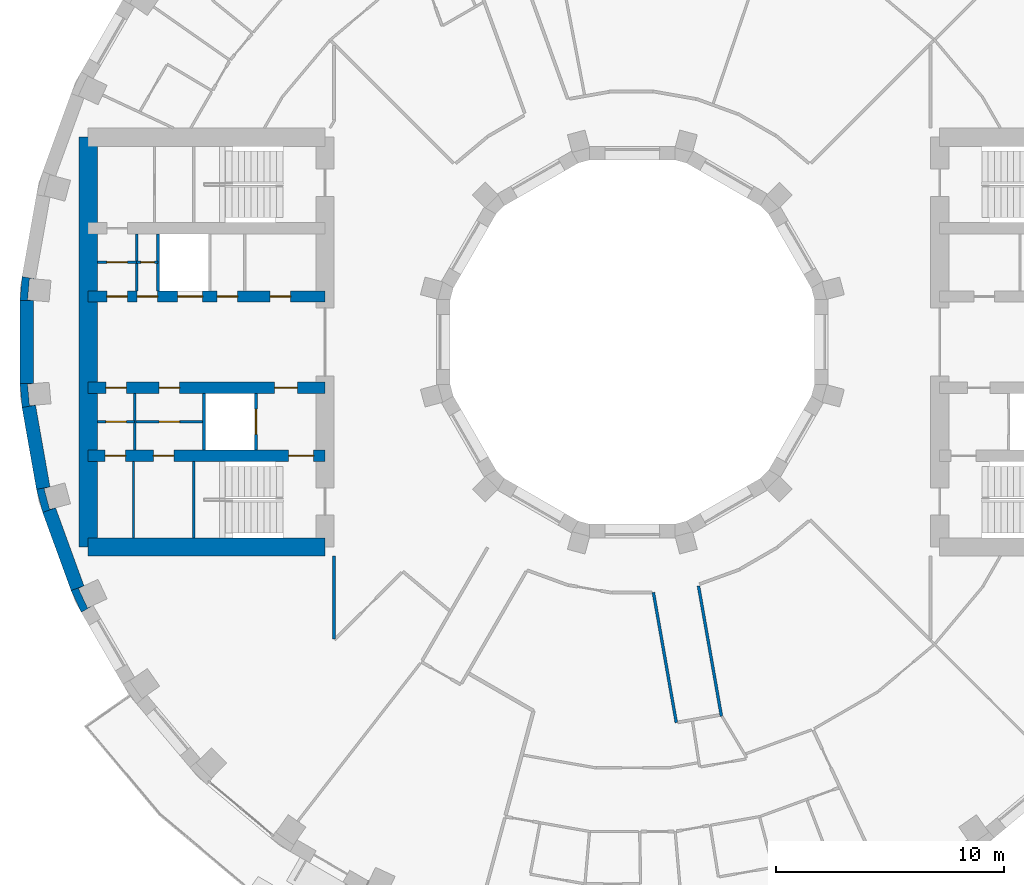
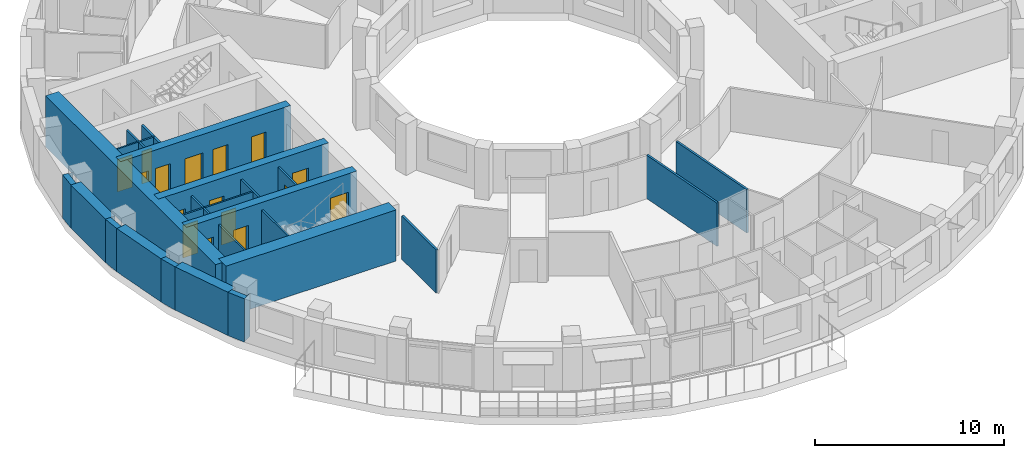
# One storey, part 5 of 14: 26 walls, 16 doors, 16 openings.
"""IFC4 building model written with IfcOpenShell, lengths in metres."""

from ifc_helpers import new_model, si_unit, direction, frame, frame_2d, origin, place, context, subcontext, project, spatial, polyline, rectangle, outline, extrude, material, layer, layer_set, type_object, element, fill, save


model = new_model("IFC4")

# Units and contexts
model_context = context("Model", 3, precision=1e-05, world=origin(), true_north=direction((0.0, 1.0)))
body_context = subcontext(model_context, "Body", "Model", "MODEL_VIEW")
ifc_project = project(units=[si_unit("LENGTHUNIT", "METRE"), si_unit("AREAUNIT", "SQUARE_METRE"), si_unit("VOLUMEUNIT", "CUBIC_METRE"), si_unit("PLANEANGLEUNIT", "RADIAN"), si_unit("MASSUNIT", "GRAM", prefix="KILO")], contexts=[model_context])

# Site, building, storey
site_placement = place(None, origin())
site = spatial("IfcSite", under=ifc_project, at=site_placement, CompositionType="ELEMENT")
building_placement = place(site_placement, origin())
building = spatial("IfcBuilding", under=site, at=building_placement, Name="Saqina Gate Tower", CompositionType="ELEMENT")
storey_placement = place(building_placement, frame((0.0, 0.0, 138.10009765625)))
storey = spatial("IfcBuildingStorey", under=building, at=storey_placement, Name="L39", CompositionType="ELEMENT", Elevation=138.10009765625)

# Walls
ifc_material_1 = material(Name="Brick masonry (buff)", Category="masonry")
wall_type_1 = type_object("IfcWallType", Name="BRICK PIER COPING BUFF", PredefinedType="SOLIDWALL", material=ifc_material_1)
wall_1_placement = place(storey_placement, origin())
element("IfcWall", 1, at=wall_1_placement, inside=storey, type_object=wall_type_1, Name="Pier cap L39 column 18", PredefinedType="SOLIDWALL", context=body_context, shape_type="SweptSolid", body=[
    extrude(outline(polyline([(-26.805419921875, 2.87451171875), (-26.897216796875, 1.823974609375), (-26.29736328125, 1.823974609375), (-26.565185546875, 1.847412109375), (-26.482421875, 2.793701171875), (-26.214599609375, 2.770263671875), (-26.805419921875, 2.87451171875)])), origin(), (0.0, 0.0, 1.0), 2.7998046875),
])
wall_2_placement = place(storey_placement, origin())
element("IfcWall", 2, at=wall_2_placement, inside=storey, type_object=wall_type_1, Name="Pier cap L39 column 19", PredefinedType="SOLIDWALL", context=body_context, shape_type="SweptSolid", body=[
    extrude(outline(polyline([(-26.805419921875, -2.87451171875), (-26.214599609375, -2.770263671875), (-26.482421875, -2.793701171875), (-26.565185546875, -1.847412109375), (-26.29736328125, -1.823974609375), (-26.897216796875, -1.823974609375), (-26.805419921875, -2.87451171875)])), origin(), (0.0, 0.0, 1.0), 2.7998046875),
])
wall_3_placement = place(storey_placement, origin())
element("IfcWall", 3, at=wall_3_placement, inside=storey, type_object=wall_type_1, Name="Pier cap L39 column 20", PredefinedType="SOLIDWALL", context=body_context, shape_type="SweptSolid", body=[
    extrude(outline(polyline([(-26.171875, -6.466796875), (-25.89892578125, -7.485595703125), (-25.335205078125, -7.2802734375), (-25.5947265625, -7.349853515625), (-25.8408203125, -6.43212890625), (-25.5810546875, -6.36279296875), (-26.171875, -6.466796875)])), origin(), (0.0, 0.0, 1.0), 2.7998046875),
])
wall_4_placement = place(storey_placement, origin())
element("IfcWall", 4, at=wall_4_placement, inside=storey, type_object=wall_type_1, Name="Pier cap L39 column 21", PredefinedType="SOLIDWALL", context=body_context, shape_type="SweptSolid", body=[
    extrude(outline(polyline([(-24.6513671875, -10.913330078125), (-24.205810546875, -11.869140625), (-23.68603515625, -11.569091796875), (-23.9296875, -11.6826171875), (-24.331298828125, -10.82177734375), (-24.08740234375, -10.7080078125), (-24.6513671875, -10.913330078125)])), origin(), (0.0, 0.0, 1.0), 2.7998046875),
])
ifc_material_2 = material(Name="Gypsum board on steel studs", Category="steel")
ifc_layer_1 = layer(ifc_material_2, 0.10009765625)
ifc_layer_set_1 = layer_set([ifc_layer_1], Name="CORE PARTITION")
wall_type_2 = type_object("IfcWallType", Name="CORE PARTITION", PredefinedType="PARTITIONING", material=ifc_layer_set_1)
for number, where, z_axis, x_axis, name in (
    (5, (-21.77099609375, 2.25, 0.0), (0.0, 0.0, 1.0), (0.0, 1.0, 0.0), "L39-CP-W04"),
    (6, (-21.8583984375, -4.75, 0.0), (0.0, 0.0, 1.0), (0.0, 1.0, 0.0), "L39-CP-W07"),
):
    element("IfcWall", number, at=place(storey_placement, frame(where, z_axis=z_axis, x_axis=x_axis)), inside=storey, type_object=wall_type_2, Name=name, PredefinedType="PARTITIONING", context=body_context, shape_type="SweptSolid", body=[
        extrude(rectangle(XDim=2.5, YDim=0.10009765625, at=frame_2d((1.25, 0.0))), origin(), (0.0, 0.0, 1.0), 2.7998046875),
    ])

# Wall, opening, door
wall_5_placement = place(storey_placement, frame((-20.840087890625, 3.5, 0.0), z_axis=(0.0, 0.0, 1.0), x_axis=(-1.0, 0.0, 0.0)))
wall_5 = element("IfcWall", 7, at=wall_5_placement, inside=storey, type_object=wall_type_2, Name="L39-CP-W08", PredefinedType="PARTITIONING", context=body_context, shape_type="SweptSolid", body=[
    extrude(rectangle(XDim=0.930908203125, YDim=0.10009765625, at=frame_2d((0.46533203125, 0.0))), origin(), (0.0, 0.0, 1.0), 2.7998046875),
])
opening_1_placement = place(wall_5_placement, frame((0.14990234375, 0.0, 0.0)))
opening_1 = element("IfcOpeningElement", 8, at=opening_1_placement, cuts=wall_5, Name="Opening G11-D116", PredefinedType="OPENING", context=body_context, shape_type="SweptSolid", body=[
    extrude(rectangle(XDim=0.60009765625, YDim=2.10009765625, at=frame_2d((0.300048828125, 1.050048828125))), frame((0.0, 0.06201171875, 0.0), z_axis=(0.0, -1.0, 0.0), x_axis=(1.0, 0.0, 0.0)), (0.0, 0.0, 1.0), 0.1240234375),
])
ifc_material_3 = material(Name="Steel-framed fire door leaf, EI 60", Category="steel")
door_type_1 = type_object("IfcDoorType", Name="SERVICE ROOM DOOR 600", OperationType="SINGLE_SWING_LEFT", PredefinedType="DOOR", material=ifc_material_3)
door_1_placement = place(opening_1_placement, origin())
door_1 = element("IfcDoor", 9, at=door_1_placement, inside=storey, type_object=door_type_1, Name="L39-CD-W27", OperationType="SINGLE_SWING_LEFT", OverallHeight=2.10009765625, OverallWidth=0.60009765625, PredefinedType="DOOR", context=body_context, shape_type="SweptSolid", body=[
    extrude(rectangle(XDim=0.60009765625, YDim=2.10009765625, at=frame_2d((0.300048828125, 1.050048828125))), frame((0.0, 0.02490234375, 0.0), z_axis=(0.0, -1.0, 0.0), x_axis=(1.0, 0.0, 0.0)), (0.0, 0.0, 1.0), 0.050048828125),
])
fill(opening_1, door_1)

wall_6_placement = place(storey_placement, frame((-21.77099609375, 3.5, 0.0), z_axis=(0.0, 0.0, 1.0), x_axis=(-1.0, 0.0, 0.0)))
wall_6 = element("IfcWall", 10, at=wall_6_placement, inside=storey, type_object=wall_type_2, Name="L39-CP-W09", PredefinedType="PARTITIONING", context=body_context, shape_type="SweptSolid", body=[
    extrude(rectangle(XDim=1.72900390625, YDim=0.10009765625, at=frame_2d((0.864501953125, 0.0))), origin(), (0.0, 0.0, 1.0), 2.7998046875),
])
opening_2_placement = place(wall_6_placement, frame((0.41455078125, 0.0, 0.0)))
opening_2 = element("IfcOpeningElement", 11, at=opening_2_placement, cuts=wall_6, Name="Opening G11-D117", PredefinedType="OPENING", context=body_context, shape_type="SweptSolid", body=[
    extrude(rectangle(XDim=0.89990234375, YDim=2.10009765625, at=frame_2d((0.449951171875, 1.050048828125))), frame((0.0, 0.06201171875, 0.0), z_axis=(0.0, -1.0, 0.0), x_axis=(1.0, 0.0, 0.0)), (0.0, 0.0, 1.0), 0.1240234375),
])
ifc_material_4 = material(Name="Steel-framed fire door leaf, EI 60", Category="steel")
door_type_2 = type_object("IfcDoorType", Name="SERVICE ROOM DOOR 900", OperationType="SINGLE_SWING_LEFT", PredefinedType="DOOR", material=ifc_material_4)
door_2_placement = place(opening_2_placement, frame((0.89990234375, 0.0, 0.0), z_axis=(0.0, 0.0, 1.0), x_axis=(-1.0, 0.0, 0.0)))
door_2 = element("IfcDoor", 12, at=door_2_placement, inside=storey, type_object=door_type_2, Name="L39-CD-W28", OperationType="SINGLE_SWING_LEFT", OverallHeight=2.10009765625, OverallWidth=0.89990234375, PredefinedType="DOOR", context=body_context, shape_type="SweptSolid", body=[
    extrude(rectangle(XDim=0.89990234375, YDim=2.10009765625, at=frame_2d((0.449951171875, 1.050048828125))), frame((0.0, 0.02490234375, 0.0), z_axis=(0.0, -1.0, 0.0), x_axis=(1.0, 0.0, 0.0)), (0.0, 0.0, 1.0), 0.050048828125),
])
fill(opening_2, door_2)

wall_7_placement = place(storey_placement, frame((-18.81005859375, -3.5, 0.0), z_axis=(0.0, 0.0, 1.0), x_axis=(-1.0, 0.0, 0.0)))
wall_7 = element("IfcWall", 13, at=wall_7_placement, inside=storey, type_object=wall_type_2, Name="L39-CP-W10", PredefinedType="PARTITIONING", context=body_context, shape_type="SweptSolid", body=[
    extrude(rectangle(XDim=3.04833984375, YDim=0.10009765625, at=frame_2d((1.524169921875, 0.0))), origin(), (0.0, 0.0, 1.0), 2.7998046875),
])
opening_3_placement = place(wall_7_placement, frame((1.07421875, 0.0, 0.0)))
opening_3 = element("IfcOpeningElement", 14, at=opening_3_placement, cuts=wall_7, Name="Opening G11-D121", PredefinedType="OPENING", context=body_context, shape_type="SweptSolid", body=[
    extrude(rectangle(XDim=0.89990234375, YDim=2.10009765625, at=frame_2d((0.449951171875, 1.050048828125))), frame((0.0, 0.06201171875, 0.0), z_axis=(0.0, -1.0, 0.0), x_axis=(1.0, 0.0, 0.0)), (0.0, 0.0, 1.0), 0.1240234375),
])
door_3_placement = place(opening_3_placement, origin())
door_3 = element("IfcDoor", 15, at=door_3_placement, inside=storey, type_object=door_type_2, Name="L39-CD-W32", OperationType="SINGLE_SWING_LEFT", OverallHeight=2.10009765625, OverallWidth=0.89990234375, PredefinedType="DOOR", context=body_context, shape_type="SweptSolid", body=[
    extrude(rectangle(XDim=0.89990234375, YDim=2.10009765625, at=frame_2d((0.449951171875, 1.050048828125))), frame((0.0, 0.02490234375, 0.0), z_axis=(0.0, -1.0, 0.0), x_axis=(1.0, 0.0, 0.0)), (0.0, 0.0, 1.0), 0.050048828125),
])
fill(opening_3, door_3)

wall_8_placement = place(storey_placement, frame((-21.8583984375, -3.5, 0.0), z_axis=(0.0, 0.0, 1.0), x_axis=(-1.0, 0.0, 0.0)))
wall_8 = element("IfcWall", 16, at=wall_8_placement, inside=storey, type_object=wall_type_2, Name="L39-CP-W11", PredefinedType="PARTITIONING", context=body_context, shape_type="SweptSolid", body=[
    extrude(rectangle(XDim=1.6416015625, YDim=0.10009765625, at=frame_2d((0.82080078125, 0.0))), origin(), (0.0, 0.0, 1.0), 2.7998046875),
])
opening_4_placement = place(wall_8_placement, frame((0.370849609375, 0.0, 0.0)))
opening_4 = element("IfcOpeningElement", 17, at=opening_4_placement, cuts=wall_8, Name="Opening G11-D120", PredefinedType="OPENING", context=body_context, shape_type="SweptSolid", body=[
    extrude(rectangle(XDim=0.89990234375, YDim=2.10009765625, at=frame_2d((0.449951171875, 1.050048828125))), frame((0.0, 0.06201171875, 0.0), z_axis=(0.0, -1.0, 0.0), x_axis=(1.0, 0.0, 0.0)), (0.0, 0.0, 1.0), 0.1240234375),
])
door_4_placement = place(opening_4_placement, origin())
door_4 = element("IfcDoor", 18, at=door_4_placement, inside=storey, type_object=door_type_2, Name="L39-CD-W31", OperationType="SINGLE_SWING_RIGHT", OverallHeight=2.10009765625, OverallWidth=0.89990234375, PredefinedType="DOOR", context=body_context, shape_type="SweptSolid", body=[
    extrude(rectangle(XDim=0.89990234375, YDim=2.10009765625, at=frame_2d((0.449951171875, 1.050048828125))), frame((0.0, 0.02490234375, 0.0), z_axis=(0.0, -1.0, 0.0), x_axis=(1.0, 0.0, 0.0)), (0.0, 0.0, 1.0), 0.050048828125),
])
fill(opening_4, door_4)

# Walls
wall_9_placement = place(storey_placement, frame((-21.91162109375, -8.60009765625, 0.0), z_axis=(0.0, 0.0, 1.0), x_axis=(0.0, 1.0, 0.0)))
element("IfcWall", 19, at=wall_9_placement, inside=storey, type_object=wall_type_2, Name="L39-CP-W15", PredefinedType="PARTITIONING", context=body_context, shape_type="SweptSolid", body=[
    extrude(rectangle(XDim=3.35009765625, YDim=0.10009765625, at=frame_2d((1.675048828125, 0.0))), origin(), (0.0, 0.0, 1.0), 2.7998046875),
])
ifc_material_5 = material(Name="Glazed ceramic tile", Category="ceramic")
ifc_layer_2 = layer(ifc_material_5, 0.60009765625)
ifc_layer_set_2 = layer_set([ifc_layer_2], Name="FW-TILE")
wall_type_3 = type_object("IfcWallType", Name="FW-TILE", PredefinedType="SOLIDWALL", material=ifc_layer_set_2)
for number, where, z_axis, x_axis, name in (
    (20, (-26.59716796875, 1.823974609375, 0.0), (0.0, 0.0, 1.0), (0.0, -1.0, 0.0), "Facade wall L39 facet 18"),
    (21, (-25.616943359375, -7.3828125, 0.0), (0.0, 0.0, 1.0), (0.341990236633, -0.939703505393, 0.0), "Facade wall L39 facet 20"),
):
    element("IfcWall", number, at=place(storey_placement, frame(where, z_axis=z_axis, x_axis=x_axis)), inside=storey, type_object=wall_type_3, Name=name, PredefinedType="SOLIDWALL", context=body_context, shape_type="SweptSolid", body=[
        extrude(rectangle(XDim=3.64794921875, YDim=0.60009765625, at=frame_2d((1.823974609375, 0.0))), origin(), (0.0, 0.0, 1.0), 2.7998046875),
    ])
ifc_material_6 = material(Name="Glazed ceramic tile (dark blue)", Category="ceramic")
ifc_layer_3 = layer(ifc_material_6, 0.60009765625)
ifc_layer_set_3 = layer_set([ifc_layer_3], Name="FW-TILE-CB")
wall_type_4 = type_object("IfcWallType", Name="FW-TILE-CB", PredefinedType="SOLIDWALL", material=ifc_layer_set_3)
wall_10_placement = place(storey_placement, frame((-26.510009765625, -2.822265625, 0.0), z_axis=(0.0, 0.0, 1.0), x_axis=(0.173670796382, -0.984803764455, 0.0)))
element("IfcWall", 22, at=wall_10_placement, inside=storey, type_object=wall_type_4, Name="Facade wall L39 facet 19", PredefinedType="SOLIDWALL", context=body_context, shape_type="SweptSolid", body=[
    extrude(rectangle(XDim=3.64794921875, YDim=0.60009765625, at=frame_2d((1.823974609375, 0.0))), origin(), (0.0, 0.0, 1.0), 2.7998046875),
])
ifc_material_7 = material(Name="Gypsum board on steel studs, 125 mm, fire rated", Category="steel")
ifc_layer_4 = layer(ifc_material_7, 0.125)
ifc_layer_set_4 = layer_set([ifc_layer_4], Name="PARTITION EI 30 125")
wall_type_5 = type_object("IfcWallType", Name="PARTITION EI 30 125", PredefinedType="PARTITIONING", material=ifc_layer_set_4)
wall_11_placement = place(storey_placement, frame((0.924072265625, -11.0, 0.0), z_axis=(0.0, 0.0, 1.0), x_axis=(0.173576639114, -0.98482036451, 0.0)))
element("IfcWall", 23, at=wall_11_placement, inside=storey, type_object=wall_type_5, Name="PARTITION PW1-01", PredefinedType="PARTITIONING", context=body_context, shape_type="SweptSolid", body=[
    extrude(rectangle(XDim=5.80615234375, YDim=0.125, at=frame_2d((2.903076171875, 0.0))), origin(), (0.0, 0.0, 1.0), 2.7998046875),
])
wall_12_placement = place(storey_placement, frame((2.90478515625, -10.714599609375, 0.0), z_axis=(0.0, 0.0, 1.0), x_axis=(0.173617542192, -0.984813154382, 0.0)))
element("IfcWall", 24, at=wall_12_placement, inside=storey, type_object=wall_type_5, Name="PARTITION PW1-02", PredefinedType="PARTITIONING", context=body_context, shape_type="SweptSolid", body=[
    extrude(rectangle(XDim=5.810302734375, YDim=0.125, at=frame_2d((2.9052734375, 0.0))), origin(), (0.0, 0.0, 1.0), 2.7998046875),
])
wall_13_placement = place(storey_placement, frame((-13.10009765625, -13.03662109375, 0.0), z_axis=(0.0, 0.0, 1.0), x_axis=(0.0, 1.0, 0.0)))
element("IfcWall", 25, at=wall_13_placement, inside=storey, type_object=wall_type_5, Name="PARTITION PW1-47", PredefinedType="PARTITIONING", context=body_context, shape_type="SweptSolid", body=[
    extrude(rectangle(XDim=3.63671875, YDim=0.125, at=frame_2d((1.818359375, 0.0))), origin(), (0.0, 0.0, 1.0), 2.7998046875),
])
ifc_material_8 = material(Name="Autoclaved aerated concrete block", Category="concrete")
ifc_layer_5 = layer(ifc_material_8, 0.1201171875)
ifc_layer_set_5 = layer_set([ifc_layer_5], Name="SHAFT PARTITION")
wall_type_6 = type_object("IfcWallType", Name="SHAFT PARTITION", PredefinedType="PARTITIONING", material=ifc_layer_set_5)
wall_14_placement = place(storey_placement, frame((-20.840087890625, 2.25, 0.0), z_axis=(0.0, 0.0, 1.0), x_axis=(0.0, 1.0, 0.0)))
element("IfcWall", 26, at=wall_14_placement, inside=storey, type_object=wall_type_6, Name="L39-CP-W03", PredefinedType="PARTITIONING", context=body_context, shape_type="SweptSolid", body=[
    extrude(rectangle(XDim=2.5, YDim=0.1201171875, at=frame_2d((1.25, 0.0))), origin(), (0.0, 0.0, 1.0), 2.7998046875),
])

# Wall, opening, door
wall_15_placement = place(storey_placement, frame((-16.530029296875, -4.75, 0.0), z_axis=(0.0, 0.0, 1.0), x_axis=(0.0, 1.0, 0.0)))
wall_15 = element("IfcWall", 27, at=wall_15_placement, inside=storey, type_object=wall_type_6, Name="L39-CP-W05", PredefinedType="PARTITIONING", context=body_context, shape_type="SweptSolid", body=[
    extrude(rectangle(XDim=2.5, YDim=0.1201171875, at=frame_2d((1.25, 0.0))), origin(), (0.0, 0.0, 1.0), 2.7998046875),
])
opening_5_placement = place(wall_15_placement, frame((0.699951171875, 0.0, 0.0)))
opening_5 = element("IfcOpeningElement", 28, at=opening_5_placement, cuts=wall_15, Name="Opening G11-LD4", PredefinedType="OPENING", context=body_context, shape_type="SweptSolid", body=[
    extrude(rectangle(XDim=1.10009765625, YDim=2.10009765625, at=frame_2d((0.550048828125, 1.050048828125))), frame((0.0, 0.072021484375, 0.0), z_axis=(0.0, -1.0, 0.0), x_axis=(1.0, 0.0, 0.0)), (0.0, 0.0, 1.0), 0.14404296875),
])
ifc_material_9 = material(Name="Stainless steel", Category="steel")
door_type_3 = type_object("IfcDoorType", Name="LANDING DOOR", OperationType="DOUBLE_DOOR_SLIDING", PredefinedType="DOOR", material=ifc_material_9)
door_5_placement = place(opening_5_placement, origin())
door_5 = element("IfcDoor", 29, at=door_5_placement, inside=storey, type_object=door_type_3, Name="LANDING DOOR FF2", OperationType="DOUBLE_DOOR_SLIDING", OverallHeight=2.10009765625, OverallWidth=1.10009765625, PredefinedType="DOOR", context=body_context, shape_type="SweptSolid", body=[
    extrude(rectangle(XDim=1.10009765625, YDim=2.10009765625, at=frame_2d((0.550048828125, 1.050048828125))), frame((0.0, 0.02490234375, 0.0), z_axis=(0.0, -1.0, 0.0), x_axis=(1.0, 0.0, 0.0)), (0.0, 0.0, 1.0), 0.050048828125),
])
fill(opening_5, door_5)

# Walls
wall_16_placement = place(storey_placement, frame((-18.81005859375, -4.75, 0.0), z_axis=(0.0, 0.0, 1.0), x_axis=(0.0, 1.0, 0.0)))
element("IfcWall", 30, at=wall_16_placement, inside=storey, type_object=wall_type_6, Name="L39-CP-W06", PredefinedType="PARTITIONING", context=body_context, shape_type="SweptSolid", body=[
    extrude(rectangle(XDim=2.5, YDim=0.1201171875, at=frame_2d((1.25, 0.0))), origin(), (0.0, 0.0, 1.0), 2.7998046875),
])
ifc_material_10 = material(Name="Autoclaved aerated concrete block", Category="concrete")
ifc_layer_6 = layer(ifc_material_10, 0.10009765625)
ifc_layer_set_6 = layer_set([ifc_layer_6], Name="STAIR ENCLOSURE WALL")
wall_type_7 = type_object("IfcWallType", Name="STAIR ENCLOSURE WALL", PredefinedType="PARTITIONING", material=ifc_layer_set_6)
wall_17_placement = place(storey_placement, frame((-19.27001953125, -8.60009765625, 0.0), z_axis=(0.0, 0.0, 1.0), x_axis=(0.0, 1.0, 0.0)))
element("IfcWall", 31, at=wall_17_placement, inside=storey, type_object=wall_type_7, Name="L39-CP-W14", PredefinedType="PARTITIONING", context=body_context, shape_type="SweptSolid", body=[
    extrude(rectangle(XDim=3.35009765625, YDim=0.10009765625, at=frame_2d((1.675048828125, 0.0))), origin(), (0.0, 0.0, 1.0), 2.7998046875),
])

# Wall, openings, doors
ifc_material_11 = material(Name="Concrete C70/85", Category="concrete")
ifc_layer_7 = layer(ifc_material_11, 0.5)
ifc_layer_set_7 = layer_set([ifc_layer_7], Name="Concrete C70/85")
wall_type_8 = type_object("IfcWallType", Name="STR-CORE WALL-B-I", PredefinedType="SHEAR", material=ifc_layer_set_7)
wall_18_placement = place(storey_placement, frame((-13.5, -5.0, 0.0), z_axis=(0.0, 0.0, 1.0), x_axis=(-1.0, 0.0, 0.0)))
wall_18 = element("IfcWall", 32, at=wall_18_placement, inside=storey, type_object=wall_type_8, Name="CORE WALL L39 W-X2", PredefinedType="SHEAR", context=body_context, shape_type="SweptSolid", body=[
    extrude(rectangle(XDim=10.39990234375, YDim=0.5, at=frame_2d((5.199951171875, 0.0))), origin(), (0.0, 0.0, 1.0), 3.2998046875),
])
opening_6_placement = place(wall_18_placement, frame((6.63916015625, 0.0, 0.0)))
opening_6 = element("IfcOpeningElement", 33, at=opening_6_placement, cuts=wall_18, Name="Opening G11-D122", PredefinedType="OPENING", context=body_context, shape_type="SweptSolid", body=[
    extrude(rectangle(XDim=0.89990234375, YDim=2.10009765625, at=frame_2d((0.449951171875, 1.050048828125))), frame((0.0, 0.261962890625, 0.0), z_axis=(0.0, -1.0, 0.0), x_axis=(1.0, 0.0, 0.0)), (0.0, 0.0, 1.0), 0.52392578125),
])
opening_7_placement = place(wall_18_placement, frame((8.755859375, 0.0, 0.0)))
opening_7 = element("IfcOpeningElement", 34, at=opening_7_placement, cuts=wall_18, Name="Opening G11-D123", PredefinedType="OPENING", context=body_context, shape_type="SweptSolid", body=[
    extrude(rectangle(XDim=0.89990234375, YDim=2.10009765625, at=frame_2d((0.449951171875, 1.050048828125))), frame((0.0, 0.261962890625, 0.0), z_axis=(0.0, -1.0, 0.0), x_axis=(1.0, 0.0, 0.0)), (0.0, 0.0, 1.0), 0.52392578125),
])
opening_8_placement = place(wall_18_placement, frame((0.5, 0.0, 0.0)))
opening_8 = element("IfcOpeningElement", 35, at=opening_8_placement, cuts=wall_18, Name="Opening G11-D124", PredefinedType="OPENING", context=body_context, shape_type="SweptSolid", body=[
    extrude(rectangle(XDim=1.10009765625, YDim=2.10009765625, at=frame_2d((0.550048828125, 1.050048828125))), frame((0.0, 0.261962890625, 0.0), z_axis=(0.0, -1.0, 0.0), x_axis=(1.0, 0.0, 0.0)), (0.0, 0.0, 1.0), 0.52392578125),
])
ifc_material_12 = material(Name="Steel", Category="steel")
door_type_4 = type_object("IfcDoorType", Name="FIRE LOBBY DOOR EI 60 WIDE", OperationType="SINGLE_SWING_LEFT", PredefinedType="DOOR", material=ifc_material_12)
door_6_placement = place(opening_8_placement, origin())
door_6 = element("IfcDoor", 36, at=door_6_placement, inside=storey, type_object=door_type_4, Name="L39-CD-W35", OperationType="SINGLE_SWING_LEFT", OverallHeight=2.10009765625, OverallWidth=1.10009765625, PredefinedType="DOOR", context=body_context, shape_type="SweptSolid", body=[
    extrude(rectangle(XDim=1.10009765625, YDim=2.10009765625, at=frame_2d((0.550048828125, 1.050048828125))), frame((0.0, 0.02490234375, 0.0), z_axis=(0.0, -1.0, 0.0), x_axis=(1.0, 0.0, 0.0)), (0.0, 0.0, 1.0), 0.050048828125),
])
fill(opening_8, door_6)
door_7_placement = place(opening_6_placement, origin())
door_7 = element("IfcDoor", 37, at=door_7_placement, inside=storey, type_object=door_type_2, Name="L39-CD-W33", OperationType="SINGLE_SWING_RIGHT", OverallHeight=2.10009765625, OverallWidth=0.89990234375, PredefinedType="DOOR", context=body_context, shape_type="SweptSolid", body=[
    extrude(rectangle(XDim=0.89990234375, YDim=2.10009765625, at=frame_2d((0.449951171875, 1.050048828125))), frame((0.0, 0.02490234375, 0.0), z_axis=(0.0, -1.0, 0.0), x_axis=(1.0, 0.0, 0.0)), (0.0, 0.0, 1.0), 0.050048828125),
])
fill(opening_6, door_7)
door_8_placement = place(opening_7_placement, origin())
door_8 = element("IfcDoor", 38, at=door_8_placement, inside=storey, type_object=door_type_2, Name="L39-CD-W34", OperationType="SINGLE_SWING_RIGHT", OverallHeight=2.10009765625, OverallWidth=0.89990234375, PredefinedType="DOOR", context=body_context, shape_type="SweptSolid", body=[
    extrude(rectangle(XDim=0.89990234375, YDim=2.10009765625, at=frame_2d((0.449951171875, 1.050048828125))), frame((0.0, 0.02490234375, 0.0), z_axis=(0.0, -1.0, 0.0), x_axis=(1.0, 0.0, 0.0)), (0.0, 0.0, 1.0), 0.050048828125),
])
fill(opening_7, door_8)

wall_19_placement = place(storey_placement, frame((-13.5, 2.0, 0.0), z_axis=(0.0, 0.0, 1.0), x_axis=(-1.0, 0.0, 0.0)))
wall_19 = element("IfcWall", 39, at=wall_19_placement, inside=storey, type_object=wall_type_8, Name="CORE WALL L39 W-L1", PredefinedType="SHEAR", context=body_context, shape_type="SweptSolid", body=[
    extrude(rectangle(XDim=10.39990234375, YDim=0.5, at=frame_2d((5.199951171875, 0.0))), origin(), (0.0, 0.0, 1.0), 3.2998046875),
])
opening_9_placement = place(wall_19_placement, frame((5.3701171875, 0.0, 0.0)))
opening_9 = element("IfcOpeningElement", 40, at=opening_9_placement, cuts=wall_19, Name="Opening G11-LD3", PredefinedType="OPENING", context=body_context, shape_type="SweptSolid", body=[
    extrude(rectangle(XDim=1.10009765625, YDim=2.10009765625, at=frame_2d((0.550048828125, 1.050048828125))), frame((0.0, 0.261962890625, 0.0), z_axis=(0.0, -1.0, 0.0), x_axis=(1.0, 0.0, 0.0)), (0.0, 0.0, 1.0), 0.52392578125),
])
opening_10_placement = place(wall_19_placement, frame((1.510986328125, 0.0, 0.0)))
opening_10 = element("IfcOpeningElement", 41, at=opening_10_placement, cuts=wall_19, Name="Opening G11-D109", PredefinedType="OPENING", context=body_context, shape_type="SweptSolid", body=[
    extrude(rectangle(XDim=0.89990234375, YDim=2.10009765625, at=frame_2d((0.449951171875, 1.050048828125))), frame((0.0, 0.261962890625, 0.0), z_axis=(0.0, -1.0, 0.0), x_axis=(1.0, 0.0, 0.0)), (0.0, 0.0, 1.0), 0.52392578125),
])
opening_11_placement = place(wall_19_placement, frame((3.841064453125, 0.0, 0.0)))
opening_11 = element("IfcOpeningElement", 42, at=opening_11_placement, cuts=wall_19, Name="Opening G11-D110", PredefinedType="OPENING", context=body_context, shape_type="SweptSolid", body=[
    extrude(rectangle(XDim=0.89990234375, YDim=2.10009765625, at=frame_2d((0.449951171875, 1.050048828125))), frame((0.0, 0.261962890625, 0.0), z_axis=(0.0, -1.0, 0.0), x_axis=(1.0, 0.0, 0.0)), (0.0, 0.0, 1.0), 0.52392578125),
])
opening_12_placement = place(wall_19_placement, frame((7.35546875, 0.0, 0.0)))
opening_12 = element("IfcOpeningElement", 43, at=opening_12_placement, cuts=wall_19, Name="Opening G11-D111", PredefinedType="OPENING", context=body_context, shape_type="SweptSolid", body=[
    extrude(rectangle(XDim=0.89990234375, YDim=2.10009765625, at=frame_2d((0.449951171875, 1.050048828125))), frame((0.0, 0.261962890625, 0.0), z_axis=(0.0, -1.0, 0.0), x_axis=(1.0, 0.0, 0.0)), (0.0, 0.0, 1.0), 0.52392578125),
])
opening_13_placement = place(wall_19_placement, frame((8.685546875, 0.0, 0.0)))
opening_13 = element("IfcOpeningElement", 44, at=opening_13_placement, cuts=wall_19, Name="Opening G11-D112", PredefinedType="OPENING", context=body_context, shape_type="SweptSolid", body=[
    extrude(rectangle(XDim=0.89990234375, YDim=2.10009765625, at=frame_2d((0.449951171875, 1.050048828125))), frame((0.0, 0.261962890625, 0.0), z_axis=(0.0, -1.0, 0.0), x_axis=(1.0, 0.0, 0.0)), (0.0, 0.0, 1.0), 0.52392578125),
])
door_9_placement = place(opening_9_placement, origin())
door_9 = element("IfcDoor", 45, at=door_9_placement, inside=storey, type_object=door_type_3, Name="LANDING DOOR MR2", OperationType="DOUBLE_DOOR_SLIDING", OverallHeight=2.10009765625, OverallWidth=1.10009765625, PredefinedType="DOOR", context=body_context, shape_type="SweptSolid", body=[
    extrude(rectangle(XDim=1.10009765625, YDim=2.10009765625, at=frame_2d((0.550048828125, 1.050048828125))), frame((0.0, 0.02490234375, 0.0), z_axis=(0.0, -1.0, 0.0), x_axis=(1.0, 0.0, 0.0)), (0.0, 0.0, 1.0), 0.050048828125),
])
fill(opening_9, door_9)
door_10_placement = place(opening_10_placement, frame((0.89990234375, 0.0, 0.0), z_axis=(0.0, 0.0, 1.0), x_axis=(-1.0, 0.0, 0.0)))
door_10 = element("IfcDoor", 46, at=door_10_placement, inside=storey, type_object=door_type_2, Name="L39-CD-W20", OperationType="SINGLE_SWING_RIGHT", OverallHeight=2.10009765625, OverallWidth=0.89990234375, PredefinedType="DOOR", context=body_context, shape_type="SweptSolid", body=[
    extrude(rectangle(XDim=0.89990234375, YDim=2.10009765625, at=frame_2d((0.449951171875, 1.050048828125))), frame((0.0, 0.02490234375, 0.0), z_axis=(0.0, -1.0, 0.0), x_axis=(1.0, 0.0, 0.0)), (0.0, 0.0, 1.0), 0.050048828125),
])
fill(opening_10, door_10)
door_11_placement = place(opening_11_placement, frame((0.89990234375, 0.0, 0.0), z_axis=(0.0, 0.0, 1.0), x_axis=(-1.0, 0.0, 0.0)))
door_11 = element("IfcDoor", 47, at=door_11_placement, inside=storey, type_object=door_type_2, Name="L39-CD-W21", OperationType="SINGLE_SWING_LEFT", OverallHeight=2.10009765625, OverallWidth=0.89990234375, PredefinedType="DOOR", context=body_context, shape_type="SweptSolid", body=[
    extrude(rectangle(XDim=0.89990234375, YDim=2.10009765625, at=frame_2d((0.449951171875, 1.050048828125))), frame((0.0, 0.02490234375, 0.0), z_axis=(0.0, -1.0, 0.0), x_axis=(1.0, 0.0, 0.0)), (0.0, 0.0, 1.0), 0.050048828125),
])
fill(opening_11, door_11)
door_12_placement = place(opening_12_placement, frame((0.89990234375, 0.0, 0.0), z_axis=(0.0, 0.0, 1.0), x_axis=(-1.0, 0.0, 0.0)))
door_12 = element("IfcDoor", 48, at=door_12_placement, inside=storey, type_object=door_type_2, Name="L39-CD-W22", OperationType="SINGLE_SWING_RIGHT", OverallHeight=2.10009765625, OverallWidth=0.89990234375, PredefinedType="DOOR", context=body_context, shape_type="SweptSolid", body=[
    extrude(rectangle(XDim=0.89990234375, YDim=2.10009765625, at=frame_2d((0.449951171875, 1.050048828125))), frame((0.0, 0.02490234375, 0.0), z_axis=(0.0, -1.0, 0.0), x_axis=(1.0, 0.0, 0.0)), (0.0, 0.0, 1.0), 0.050048828125),
])
fill(opening_12, door_12)
door_13_placement = place(opening_13_placement, frame((0.89990234375, 0.0, 0.0), z_axis=(0.0, 0.0, 1.0), x_axis=(-1.0, 0.0, 0.0)))
door_13 = element("IfcDoor", 49, at=door_13_placement, inside=storey, type_object=door_type_2, Name="L39-CD-W23", OperationType="SINGLE_SWING_LEFT", OverallHeight=2.10009765625, OverallWidth=0.89990234375, PredefinedType="DOOR", context=body_context, shape_type="SweptSolid", body=[
    extrude(rectangle(XDim=0.89990234375, YDim=2.10009765625, at=frame_2d((0.449951171875, 1.050048828125))), frame((0.0, 0.02490234375, 0.0), z_axis=(0.0, -1.0, 0.0), x_axis=(1.0, 0.0, 0.0)), (0.0, 0.0, 1.0), 0.050048828125),
])
fill(opening_13, door_13)

wall_20_placement = place(storey_placement, frame((-13.5, -2.0, 0.0), z_axis=(0.0, 0.0, 1.0), x_axis=(-1.0, 0.0, 0.0)))
wall_20 = element("IfcWall", 50, at=wall_20_placement, inside=storey, type_object=wall_type_8, Name="CORE WALL L39 W-L2", PredefinedType="SHEAR", context=body_context, shape_type="SweptSolid", body=[
    extrude(rectangle(XDim=10.39990234375, YDim=0.5, at=frame_2d((5.199951171875, 0.0))), origin(), (0.0, 0.0, 1.0), 3.2998046875),
])
opening_14_placement = place(wall_20_placement, frame((1.215087890625, 0.0, 0.0)))
opening_14 = element("IfcOpeningElement", 51, at=opening_14_placement, cuts=wall_20, Name="Opening G11-D113", PredefinedType="OPENING", context=body_context, shape_type="SweptSolid", body=[
    extrude(rectangle(XDim=1.0, YDim=2.10009765625, at=frame_2d((0.5, 1.050048828125))), frame((0.0, 0.261962890625, 0.0), z_axis=(0.0, -1.0, 0.0), x_axis=(1.0, 0.0, 0.0)), (0.0, 0.0, 1.0), 0.52392578125),
])
opening_15_placement = place(wall_20_placement, frame((6.38427734375, 0.0, 0.0)))
opening_15 = element("IfcOpeningElement", 52, at=opening_15_placement, cuts=wall_20, Name="Opening G11-D114", PredefinedType="OPENING", context=body_context, shape_type="SweptSolid", body=[
    extrude(rectangle(XDim=0.89990234375, YDim=2.10009765625, at=frame_2d((0.449951171875, 1.050048828125))), frame((0.0, 0.261962890625, 0.0), z_axis=(0.0, -1.0, 0.0), x_axis=(1.0, 0.0, 0.0)), (0.0, 0.0, 1.0), 0.52392578125),
])
opening_16_placement = place(wall_20_placement, frame((8.729248046875, 0.0, 0.0)))
opening_16 = element("IfcOpeningElement", 53, at=opening_16_placement, cuts=wall_20, Name="Opening G11-D115", PredefinedType="OPENING", context=body_context, shape_type="SweptSolid", body=[
    extrude(rectangle(XDim=0.89990234375, YDim=2.10009765625, at=frame_2d((0.449951171875, 1.050048828125))), frame((0.0, 0.261962890625, 0.0), z_axis=(0.0, -1.0, 0.0), x_axis=(1.0, 0.0, 0.0)), (0.0, 0.0, 1.0), 0.52392578125),
])
ifc_material_13 = material(Name="Steel", Category="steel")
door_type_5 = type_object("IfcDoorType", Name="FIRE LOBBY DOOR EI 60", OperationType="SINGLE_SWING_LEFT", PredefinedType="DOOR", material=ifc_material_13)
door_14_placement = place(opening_14_placement, frame((1.0, 0.0, 0.0), z_axis=(0.0, 0.0, 1.0), x_axis=(-1.0, 0.0, 0.0)))
door_14 = element("IfcDoor", 54, at=door_14_placement, inside=storey, type_object=door_type_5, Name="L39-CD-W24", OperationType="SINGLE_SWING_RIGHT", OverallHeight=2.10009765625, OverallWidth=1.0, PredefinedType="DOOR", context=body_context, shape_type="SweptSolid", body=[
    extrude(rectangle(XDim=1.0, YDim=2.10009765625, at=frame_2d((0.5, 1.050048828125))), frame((0.0, 0.02490234375, 0.0), z_axis=(0.0, -1.0, 0.0), x_axis=(1.0, 0.0, 0.0)), (0.0, 0.0, 1.0), 0.050048828125),
])
fill(opening_14, door_14)
door_15_placement = place(opening_15_placement, origin())
door_15 = element("IfcDoor", 55, at=door_15_placement, inside=storey, type_object=door_type_2, Name="L39-CD-W25", OperationType="SINGLE_SWING_RIGHT", OverallHeight=2.10009765625, OverallWidth=0.89990234375, PredefinedType="DOOR", context=body_context, shape_type="SweptSolid", body=[
    extrude(rectangle(XDim=0.89990234375, YDim=2.10009765625, at=frame_2d((0.449951171875, 1.050048828125))), frame((0.0, 0.02490234375, 0.0), z_axis=(0.0, -1.0, 0.0), x_axis=(1.0, 0.0, 0.0)), (0.0, 0.0, 1.0), 0.050048828125),
])
fill(opening_15, door_15)
door_16_placement = place(opening_16_placement, origin())
door_16 = element("IfcDoor", 56, at=door_16_placement, inside=storey, type_object=door_type_2, Name="L39-CD-W26", OperationType="SINGLE_SWING_RIGHT", OverallHeight=2.10009765625, OverallWidth=0.89990234375, PredefinedType="DOOR", context=body_context, shape_type="SweptSolid", body=[
    extrude(rectangle(XDim=0.89990234375, YDim=2.10009765625, at=frame_2d((0.449951171875, 1.050048828125))), frame((0.0, 0.02490234375, 0.0), z_axis=(0.0, -1.0, 0.0), x_axis=(1.0, 0.0, 0.0)), (0.0, 0.0, 1.0), 0.050048828125),
])
fill(opening_16, door_16)

# Walls
ifc_material_14 = material(Name="Concrete C70/85", Category="concrete")
ifc_layer_8 = layer(ifc_material_14, 0.800048828125)
ifc_layer_set_8 = layer_set([ifc_layer_8], Name="Concrete C70/85")
wall_type_9 = type_object("IfcWallType", Name="STR-CORE WALL-B-O", PredefinedType="SHEAR", material=ifc_layer_set_8)
wall_21_placement = place(storey_placement, frame((-23.89990234375, -9.0, 0.0), z_axis=(0.0, 0.0, 1.0), x_axis=(0.0, 1.0, 0.0)))
element("IfcWall", 57, at=wall_21_placement, inside=storey, type_object=wall_type_9, Name="CORE WALL L39 W-W2", PredefinedType="SHEAR", context=body_context, shape_type="SweptSolid", body=[
    extrude(rectangle(XDim=18.0, YDim=0.800048828125, at=frame_2d((9.0, 0.0))), origin(), (0.0, 0.0, 1.0), 3.2998046875),
])
wall_22_placement = place(storey_placement, frame((-13.5, -9.0, 0.0), z_axis=(0.0, 0.0, 1.0), x_axis=(-1.0, 0.0, 0.0)))
element("IfcWall", 58, at=wall_22_placement, inside=storey, type_object=wall_type_9, Name="CORE WALL L39 W-SE", PredefinedType="SHEAR", context=body_context, shape_type="SweptSolid", body=[
    extrude(rectangle(XDim=10.39990234375, YDim=0.800048828125, at=frame_2d((5.199951171875, 0.0))), origin(), (0.0, 0.0, 1.0), 3.2998046875),
])

save(model, "model.ifc")
